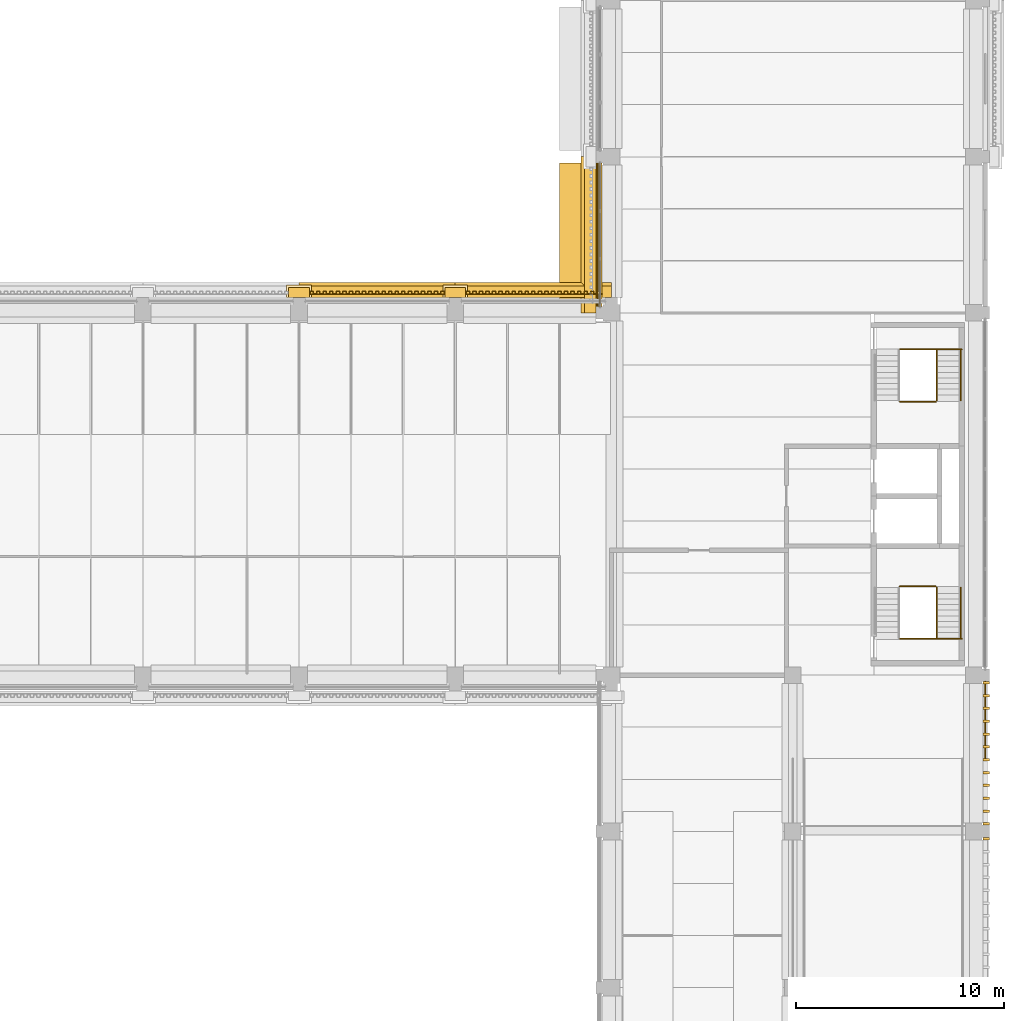
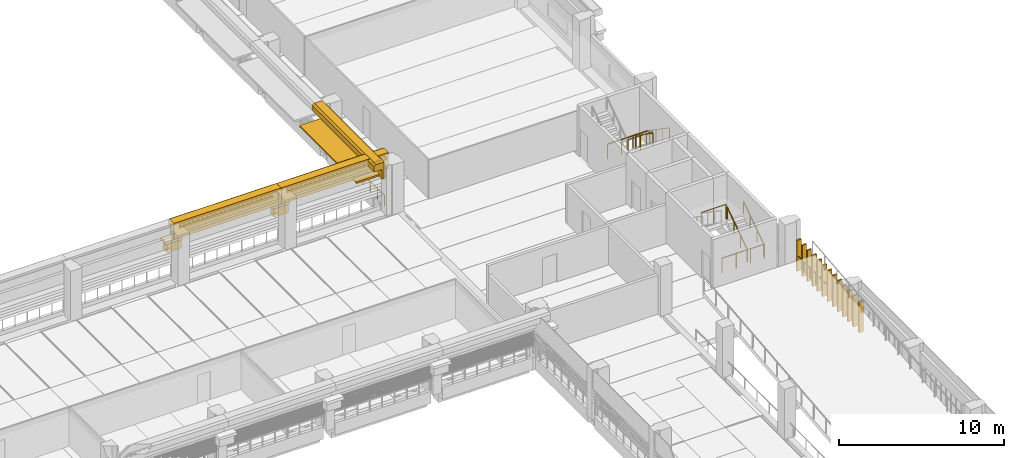
# One storey, part 62 of 71: 23 coverings, 10 railings, 1 shading device.
"""IFC4 building model written with IfcOpenShell, lengths in metres."""

from ifc_helpers import new_model, si_unit, direction, frame, origin, origin_2d, place, context, subcontext, project, spatial, polyline, circle, outline, extrude, material, layer, layer_set, type_object, element, save


model = new_model("IFC4")

# Units and contexts
model_context = context("Model", 3, precision=1e-05, world=origin(), true_north=direction((0.0, 1.0)))
body_context = subcontext(model_context, "Body", "Model", "MODEL_VIEW")
ifc_project = project(units=[si_unit("LENGTHUNIT", "METRE"), si_unit("AREAUNIT", "SQUARE_METRE"), si_unit("VOLUMEUNIT", "CUBIC_METRE"), si_unit("PLANEANGLEUNIT", "RADIAN"), si_unit("MASSUNIT", "GRAM", prefix="KILO")], contexts=[model_context])

# Site, building, storey
site_placement = place(None, origin())
site = spatial("IfcSite", under=ifc_project, at=site_placement, CompositionType="ELEMENT")
building_placement = place(site_placement, origin())
building = spatial("IfcBuilding", under=site, at=building_placement, Name="Cour d'Honneur Mobility Palace", CompositionType="ELEMENT")
storey_placement = place(building_placement, frame((0.0, 0.0, 15.60009765625)))
storey = spatial("IfcBuildingStorey", under=building, at=storey_placement, Name="L04", CompositionType="ELEMENT", Elevation=15.60009765625)

# Railings
ifc_material_1 = material(Name="Painted steel", Category="steel")
railing_type_1 = type_object("IfcRailingType", Name="Balustrade", PredefinedType="BALUSTRADE", material=ifc_material_1)
railing_1_placement = place(storey_placement, frame((162.85009765625, 41.0, 0.2998046875)))
element("IfcRailing", 1, at=railing_1_placement, inside=storey, type_object=railing_type_1, Name="Balustrade BAL-227", PredefinedType="BALUSTRADE", context=body_context, shape_type="SweptSolid", body=[
    extrude(circle(Radius=0.02392578125, at=origin_2d()), frame((0.0, 0.0, 0.77587890625), z_axis=(0.0, 1.0, 0.0), x_axis=(-1.0, 0.0, 0.0)), (0.0, 0.0, 1.0), 3.699951171875),
    extrude(circle(Radius=0.02099609375, at=origin_2d()), origin(), (0.0, 0.0, 1.0), 0.751953125),
    extrude(circle(Radius=0.02099609375, at=origin_2d()), frame((0.0, 0.739990234375, 0.0)), (0.0, 0.0, 1.0), 0.751953125),
    extrude(circle(Radius=0.02099609375, at=origin_2d()), frame((0.0, 1.47998046875, 0.0)), (0.0, 0.0, 1.0), 0.751953125),
    extrude(circle(Radius=0.02099609375, at=origin_2d()), frame((0.0, 2.219970703125, 0.0)), (0.0, 0.0, 1.0), 0.751953125),
    extrude(circle(Radius=0.02099609375, at=origin_2d()), frame((0.0, 2.9599609375, 0.0)), (0.0, 0.0, 1.0), 0.751953125),
    extrude(circle(Radius=0.02099609375, at=origin_2d()), frame((0.0, 3.699951171875, 0.0)), (0.0, 0.0, 1.0), 0.751953125),
])
railing_2_placement = place(storey_placement, frame((144.35009765625, 69.60009765625, 0.2998046875)))
element("IfcRailing", 2, at=railing_2_placement, inside=storey, type_object=railing_type_1, Name="Balustrade BAL-234", PredefinedType="BALUSTRADE", context=body_context, shape_type="SweptSolid", body=[
    extrude(circle(Radius=0.02392578125, at=origin_2d()), frame((0.0, 0.0, 0.77587890625), z_axis=(0.0, -1.0, 0.0), x_axis=(1.0, 0.0, 0.0)), (0.0, 0.0, 1.0), 6.900146484375),
    extrude(circle(Radius=0.02099609375, at=origin_2d()), origin(), (0.0, 0.0, 1.0), 0.751953125),
    extrude(circle(Radius=0.02099609375, at=origin_2d()), frame((0.0, -0.862548828125, 0.0)), (0.0, 0.0, 1.0), 0.751953125),
    extrude(circle(Radius=0.02099609375, at=origin_2d()), frame((0.0, -1.72509765625, 0.0)), (0.0, 0.0, 1.0), 0.751953125),
    extrude(circle(Radius=0.02099609375, at=origin_2d()), frame((0.0, -2.587646484375, 0.0)), (0.0, 0.0, 1.0), 0.751953125),
    extrude(circle(Radius=0.02099609375, at=origin_2d()), frame((0.0, -3.4501953125, 0.0)), (0.0, 0.0, 1.0), 0.751953125),
    extrude(circle(Radius=0.02099609375, at=origin_2d()), frame((0.0, -4.3125, 0.0)), (0.0, 0.0, 1.0), 0.751953125),
    extrude(circle(Radius=0.02099609375, at=origin_2d()), frame((0.0, -5.175048828125, 0.0)), (0.0, 0.0, 1.0), 0.751953125),
    extrude(circle(Radius=0.02099609375, at=origin_2d()), frame((0.0, -6.03759765625, 0.0)), (0.0, 0.0, 1.0), 0.751953125),
    extrude(circle(Radius=0.02099609375, at=origin_2d()), frame((0.0, -6.900146484375, 0.0)), (0.0, 0.0, 1.0), 0.751953125),
])

# Coverings
ifc_material_2 = material(Name="Cast limestone", Category="masonry")
ifc_layer_1 = layer(ifc_material_2, 0.14990234375)
ifc_layer_set_1 = layer_set([ifc_layer_1], Name="Cast limestone")
covering_type_1 = type_object("IfcCoveringType", Name="Dentil course", PredefinedType="CLADDING", material=ifc_layer_set_1)
covering_1_placement = place(storey_placement, frame((0.0, 0.0, 3.14990234375)))
element("IfcCovering", 3, at=covering_1_placement, inside=storey, type_object=covering_type_1, Name="Dentil course DC-95", PredefinedType="CLADDING", context=body_context, shape_type="SweptSolid", body=[
    extrude(outline(polyline([(144.449951171875, 63.300048828125), (137.85009765625, 63.300048828125), (137.85009765625, 63.330078125), (137.85009765625, 63.330078125), (137.928466796875, 63.330078125), (137.928466796875, 63.449951171875), (138.085693359375, 63.449951171875), (138.085693359375, 63.330078125), (138.164306640625, 63.330078125), (138.164306640625, 63.330078125), (138.242919921875, 63.330078125), (138.242919921875, 63.449951171875), (138.39990234375, 63.449951171875), (138.39990234375, 63.330078125), (138.478515625, 63.330078125), (138.478515625, 63.330078125), (138.55712890625, 63.330078125), (138.55712890625, 63.449951171875), (138.71435546875, 63.449951171875), (138.71435546875, 63.330078125), (138.79296875, 63.330078125), (138.79296875, 63.330078125), (138.871337890625, 63.330078125), (138.871337890625, 63.449951171875), (139.028564453125, 63.449951171875), (139.028564453125, 63.330078125), (139.107177734375, 63.330078125), (139.107177734375, 63.330078125), (139.185791015625, 63.330078125), (139.185791015625, 63.449951171875), (139.3427734375, 63.449951171875), (139.3427734375, 63.330078125), (139.42138671875, 63.330078125), (139.42138671875, 63.330078125), (139.5, 63.330078125), (139.5, 63.449951171875), (139.6572265625, 63.449951171875), (139.6572265625, 63.330078125), (139.735595703125, 63.330078125), (139.735595703125, 63.330078125), (139.814208984375, 63.330078125), (139.814208984375, 63.449951171875), (139.971435546875, 63.449951171875), (139.971435546875, 63.330078125), (140.050048828125, 63.330078125), (140.050048828125, 63.330078125), (140.128662109375, 63.330078125), (140.128662109375, 63.449951171875), (140.28564453125, 63.449951171875), (140.28564453125, 63.330078125), (140.3642578125, 63.330078125), (140.3642578125, 63.330078125), (140.44287109375, 63.330078125), (140.44287109375, 63.449951171875), (140.60009765625, 63.449951171875), (140.60009765625, 63.330078125), (140.678466796875, 63.330078125), (140.678466796875, 63.330078125), (140.757080078125, 63.330078125), (140.757080078125, 63.449951171875), (140.914306640625, 63.449951171875), (140.914306640625, 63.330078125), (140.992919921875, 63.330078125), (140.992919921875, 63.330078125), (141.071533203125, 63.330078125), (141.071533203125, 63.449951171875), (141.228515625, 63.449951171875), (141.228515625, 63.330078125), (141.30712890625, 63.330078125), (141.30712890625, 63.330078125), (141.3857421875, 63.330078125), (141.3857421875, 63.449951171875), (141.54296875, 63.449951171875), (141.54296875, 63.330078125), (141.621337890625, 63.330078125), (141.621337890625, 63.330078125), (141.699951171875, 63.330078125), (141.699951171875, 63.449951171875), (141.857177734375, 63.449951171875), (141.857177734375, 63.330078125), (141.935791015625, 63.330078125), (141.935791015625, 63.330078125), (142.014404296875, 63.330078125), (142.014404296875, 63.449951171875), (142.17138671875, 63.449951171875), (142.17138671875, 63.330078125), (142.25, 63.330078125), (142.25, 63.330078125), (142.32861328125, 63.330078125), (142.32861328125, 63.449951171875), (142.485595703125, 63.449951171875), (142.485595703125, 63.330078125), (142.564208984375, 63.330078125), (142.564208984375, 63.330078125), (142.642822265625, 63.330078125), (142.642822265625, 63.449951171875), (142.800048828125, 63.449951171875), (142.800048828125, 63.330078125), (142.878662109375, 63.330078125), (142.878662109375, 63.330078125), (142.95703125, 63.330078125), (142.95703125, 63.449951171875), (143.1142578125, 63.449951171875), (143.1142578125, 63.330078125), (143.19287109375, 63.330078125), (143.19287109375, 63.330078125), (143.271484375, 63.330078125), (143.271484375, 63.449951171875), (143.428466796875, 63.449951171875), (143.428466796875, 63.330078125), (143.507080078125, 63.330078125), (143.507080078125, 63.330078125), (143.585693359375, 63.330078125), (143.585693359375, 63.449951171875), (143.742919921875, 63.449951171875), (143.742919921875, 63.330078125), (143.821533203125, 63.330078125), (143.821533203125, 63.330078125), (143.89990234375, 63.330078125), (143.89990234375, 63.449951171875), (144.05712890625, 63.449951171875), (144.05712890625, 63.330078125), (144.1357421875, 63.330078125), (144.1357421875, 63.330078125), (144.21435546875, 63.330078125), (144.21435546875, 63.449951171875), (144.371337890625, 63.449951171875), (144.371337890625, 63.330078125), (144.449951171875, 63.330078125), (144.449951171875, 63.300048828125)])), origin(), (0.0, 0.0, 1.0), 0.14990234375),
])
covering_2_placement = place(storey_placement, frame((0.0, 0.0, 3.14990234375)))
element("IfcCovering", 4, at=covering_2_placement, inside=storey, type_object=covering_type_1, Name="Dentil course DC-96", PredefinedType="CLADDING", context=body_context, shape_type="SweptSolid", body=[
    extrude(outline(polyline([(136.949951171875, 63.300048828125), (130.35009765625, 63.300048828125), (130.35009765625, 63.330078125), (130.35009765625, 63.330078125), (130.428466796875, 63.330078125), (130.428466796875, 63.449951171875), (130.585693359375, 63.449951171875), (130.585693359375, 63.330078125), (130.664306640625, 63.330078125), (130.664306640625, 63.330078125), (130.742919921875, 63.330078125), (130.742919921875, 63.449951171875), (130.89990234375, 63.449951171875), (130.89990234375, 63.330078125), (130.978515625, 63.330078125), (130.978515625, 63.330078125), (131.05712890625, 63.330078125), (131.05712890625, 63.449951171875), (131.21435546875, 63.449951171875), (131.21435546875, 63.330078125), (131.29296875, 63.330078125), (131.29296875, 63.330078125), (131.371337890625, 63.330078125), (131.371337890625, 63.449951171875), (131.528564453125, 63.449951171875), (131.528564453125, 63.330078125), (131.607177734375, 63.330078125), (131.607177734375, 63.330078125), (131.685791015625, 63.330078125), (131.685791015625, 63.449951171875), (131.8427734375, 63.449951171875), (131.8427734375, 63.330078125), (131.92138671875, 63.330078125), (131.92138671875, 63.330078125), (132.0, 63.330078125), (132.0, 63.449951171875), (132.1572265625, 63.449951171875), (132.1572265625, 63.330078125), (132.235595703125, 63.330078125), (132.235595703125, 63.330078125), (132.314208984375, 63.330078125), (132.314208984375, 63.449951171875), (132.471435546875, 63.449951171875), (132.471435546875, 63.330078125), (132.550048828125, 63.330078125), (132.550048828125, 63.330078125), (132.628662109375, 63.330078125), (132.628662109375, 63.449951171875), (132.78564453125, 63.449951171875), (132.78564453125, 63.330078125), (132.8642578125, 63.330078125), (132.8642578125, 63.330078125), (132.94287109375, 63.330078125), (132.94287109375, 63.449951171875), (133.10009765625, 63.449951171875), (133.10009765625, 63.330078125), (133.178466796875, 63.330078125), (133.178466796875, 63.330078125), (133.257080078125, 63.330078125), (133.257080078125, 63.449951171875), (133.414306640625, 63.449951171875), (133.414306640625, 63.330078125), (133.492919921875, 63.330078125), (133.492919921875, 63.330078125), (133.571533203125, 63.330078125), (133.571533203125, 63.449951171875), (133.728515625, 63.449951171875), (133.728515625, 63.330078125), (133.80712890625, 63.330078125), (133.80712890625, 63.330078125), (133.8857421875, 63.330078125), (133.8857421875, 63.449951171875), (134.04296875, 63.449951171875), (134.04296875, 63.330078125), (134.121337890625, 63.330078125), (134.121337890625, 63.330078125), (134.199951171875, 63.330078125), (134.199951171875, 63.449951171875), (134.357177734375, 63.449951171875), (134.357177734375, 63.330078125), (134.435791015625, 63.330078125), (134.435791015625, 63.330078125), (134.514404296875, 63.330078125), (134.514404296875, 63.449951171875), (134.67138671875, 63.449951171875), (134.67138671875, 63.330078125), (134.75, 63.330078125), (134.75, 63.330078125), (134.82861328125, 63.330078125), (134.82861328125, 63.449951171875), (134.985595703125, 63.449951171875), (134.985595703125, 63.330078125), (135.064208984375, 63.330078125), (135.064208984375, 63.330078125), (135.142822265625, 63.330078125), (135.142822265625, 63.449951171875), (135.300048828125, 63.449951171875), (135.300048828125, 63.330078125), (135.378662109375, 63.330078125), (135.378662109375, 63.330078125), (135.45703125, 63.330078125), (135.45703125, 63.449951171875), (135.6142578125, 63.449951171875), (135.6142578125, 63.330078125), (135.69287109375, 63.330078125), (135.69287109375, 63.330078125), (135.771484375, 63.330078125), (135.771484375, 63.449951171875), (135.928466796875, 63.449951171875), (135.928466796875, 63.330078125), (136.007080078125, 63.330078125), (136.007080078125, 63.330078125), (136.085693359375, 63.330078125), (136.085693359375, 63.449951171875), (136.242919921875, 63.449951171875), (136.242919921875, 63.330078125), (136.321533203125, 63.330078125), (136.321533203125, 63.330078125), (136.39990234375, 63.330078125), (136.39990234375, 63.449951171875), (136.55712890625, 63.449951171875), (136.55712890625, 63.330078125), (136.6357421875, 63.330078125), (136.6357421875, 63.330078125), (136.71435546875, 63.330078125), (136.71435546875, 63.449951171875), (136.871337890625, 63.449951171875), (136.871337890625, 63.330078125), (136.949951171875, 63.330078125), (136.949951171875, 63.300048828125)])), origin(), (0.0, 0.0, 1.0), 0.14990234375),
])

# Shading device
ifc_material_3 = material(Name="Anodised aluminium", Category="aluminium")
ifc_layer_2 = layer(ifc_material_3, 0.1201171875)
ifc_layer_set_2 = layer_set([ifc_layer_2], Name="Anodised aluminium")
shading_device_type = type_object("IfcShadingDeviceType", Name="Eave sunshade 1800", PredefinedType="AWNING", material=ifc_layer_set_2)
shading_device_placement = place(storey_placement, frame((0.0, 0.0, 2.6298828125)))
element("IfcShadingDevice", 5, at=shading_device_placement, inside=storey, type_object=shading_device_type, Name="Sunshade W7.6 L04", PredefinedType="AWNING", context=body_context, shape_type="SweptSolid", body=[
    extrude(outline(polyline([(144.199951171875, 69.60009765625), (144.199951171875, 62.699951171875), (142.39990234375, 62.699951171875), (142.39990234375, 69.60009765625), (144.199951171875, 69.60009765625)])), origin(), (0.0, 0.0, 1.0), 0.1201171875),
])

# Coverings
ifc_material_4 = material(Name="Cast limestone", Category="masonry")
ifc_layer_3 = layer(ifc_material_4, 0.699951171875)
ifc_layer_set_3 = layer_set([ifc_layer_3], Name="Cast limestone")
covering_type_2 = type_object("IfcCoveringType", Name="Entablature", PredefinedType="CLADDING", material=ifc_layer_set_3)
covering_3_placement = place(storey_placement, frame((144.14990234375, 69.89990234375, 2.599853515625), z_axis=(0.0, 1.0, 0.0), x_axis=(-1.0, 0.0, 0.0)))
element("IfcCovering", 6, at=covering_3_placement, inside=storey, type_object=covering_type_2, Name="Entablature EN-94", PredefinedType="CLADDING", context=body_context, shape_type="SweptSolid", body=[
    extrude(outline(polyline([(0.0, 0.0), (0.14990234375, 0.0), (0.14990234375, 0.699951171875), (0.699951171875, 0.699951171875), (0.699951171875, 1.10009765625), (0.5498046875, 1.199951171875), (0.0, 1.199951171875), (0.0, 0.0)])), origin(), (0.0, 0.0, -1.0), 7.5),
])
for number, where, z_axis, x_axis, name in (
    (7, (144.89990234375, 63.14990234375, 2.599853515625), (1.0, 0.0, 0.0), (0.0, 1.0, 0.0), "Entablature EN-95"),
    (8, (137.39990234375, 63.14990234375, 2.599853515625), (1.0, 0.0, 0.0), (0.0, 1.0, 0.0), "Entablature EN-96"),
):
    element("IfcCovering", number, at=place(storey_placement, frame(where, z_axis=z_axis, x_axis=x_axis)), inside=storey, type_object=covering_type_2, Name=name, PredefinedType="CLADDING", context=body_context, shape_type="SweptSolid", body=[
        extrude(outline(polyline([(0.0, 0.0), (0.150146484375, 0.0), (0.150146484375, 0.699951171875), (0.7001953125, 0.699951171875), (0.7001953125, 1.10009765625), (0.550048828125, 1.199951171875), (0.0, 1.199951171875), (0.0, 0.0)])), origin(), (0.0, 0.0, -1.0), 7.5),
    ])

# Railings
ifc_material_5 = material(Name="Painted steel", Category="steel")
railing_type_2 = type_object("IfcRailingType", Name="Guardrail 1100", PredefinedType="GUARDRAIL", material=ifc_material_5)
railing_3_placement = place(storey_placement, frame((158.75, 46.7548828125, 0.0)))
element("IfcRailing", 9, at=railing_3_placement, inside=storey, type_object=railing_type_2, Name="Guard ST-CE1", PredefinedType="GUARDRAIL", context=body_context, shape_type="SweptSolid", body=[
    extrude(circle(Radius=0.02490234375, at=origin_2d()), frame((0.0, 0.0, 1.0751953125), z_axis=(1.0, 0.0, 0.0), x_axis=(0.0, 1.0, 0.0)), (0.0, 0.0, 1.0), 2.97509765625),
    extrude(circle(Radius=0.02099609375, at=origin_2d()), origin(), (0.0, 0.0, 1.0), 1.050048828125),
    extrude(circle(Radius=0.02099609375, at=origin_2d()), frame((0.99169921875, 0.0, 0.0)), (0.0, 0.0, 1.0), 1.050048828125),
    extrude(circle(Radius=0.02099609375, at=origin_2d()), frame((1.9833984375, 0.0, 0.0)), (0.0, 0.0, 1.0), 1.050048828125),
    extrude(circle(Radius=0.02099609375, at=origin_2d()), frame((2.97509765625, 0.0, 0.0)), (0.0, 0.0, 1.0), 1.050048828125),
])
railing_4_placement = place(storey_placement, frame((158.75, 49.264892578125, 1.849853515625)))
element("IfcRailing", 10, at=railing_4_placement, inside=storey, type_object=railing_type_2, Name="Landing guard ST-CE1", PredefinedType="GUARDRAIL", context=body_context, shape_type="SweptSolid", body=[
    extrude(circle(Radius=0.02490234375, at=origin_2d()), frame((0.0, 0.0, 1.0751953125), z_axis=(1.0, 0.0, 0.0), x_axis=(0.0, 1.0, 0.0)), (0.0, 0.0, 1.0), 1.72509765625),
    extrude(circle(Radius=0.02099609375, at=origin_2d()), origin(), (0.0, 0.0, 1.0), 1.050048828125),
    extrude(circle(Radius=0.02099609375, at=origin_2d()), frame((0.862548828125, 0.0, 0.0)), (0.0, 0.0, 1.0), 1.050048828125),
    extrude(circle(Radius=0.02099609375, at=origin_2d()), frame((1.72509765625, 0.0, 0.0)), (0.0, 0.0, 1.0), 1.050048828125),
])
railing_5_placement = place(storey_placement, frame((158.75, 60.64501953125, 0.0)))
element("IfcRailing", 11, at=railing_5_placement, inside=storey, type_object=railing_type_2, Name="Guard ST-CE2", PredefinedType="GUARDRAIL", context=body_context, shape_type="SweptSolid", body=[
    extrude(circle(Radius=0.02490234375, at=origin_2d()), frame((0.0, 0.0, 1.0751953125), z_axis=(1.0, 0.0, 0.0), x_axis=(0.0, 1.0, 0.0)), (0.0, 0.0, 1.0), 2.97509765625),
    extrude(circle(Radius=0.02099609375, at=origin_2d()), origin(), (0.0, 0.0, 1.0), 1.050048828125),
    extrude(circle(Radius=0.02099609375, at=origin_2d()), frame((0.99169921875, 0.0, 0.0)), (0.0, 0.0, 1.0), 1.050048828125),
    extrude(circle(Radius=0.02099609375, at=origin_2d()), frame((1.9833984375, 0.0, 0.0)), (0.0, 0.0, 1.0), 1.050048828125),
    extrude(circle(Radius=0.02099609375, at=origin_2d()), frame((2.97509765625, 0.0, 0.0)), (0.0, 0.0, 1.0), 1.050048828125),
])
railing_6_placement = place(storey_placement, frame((158.75, 58.135009765625, 1.849853515625)))
element("IfcRailing", 12, at=railing_6_placement, inside=storey, type_object=railing_type_2, Name="Landing guard ST-CE2", PredefinedType="GUARDRAIL", context=body_context, shape_type="SweptSolid", body=[
    extrude(circle(Radius=0.02490234375, at=origin_2d()), frame((0.0, 0.0, 1.0751953125), z_axis=(1.0, 0.0, 0.0), x_axis=(0.0, 1.0, 0.0)), (0.0, 0.0, 1.0), 1.72509765625),
    extrude(circle(Radius=0.02099609375, at=origin_2d()), origin(), (0.0, 0.0, 1.0), 1.050048828125),
    extrude(circle(Radius=0.02099609375, at=origin_2d()), frame((0.862548828125, 0.0, 0.0)), (0.0, 0.0, 1.0), 1.050048828125),
    extrude(circle(Radius=0.02099609375, at=origin_2d()), frame((1.72509765625, 0.0, 0.0)), (0.0, 0.0, 1.0), 1.050048828125),
])
ifc_material_6 = material(Name="Stainless steel", Category="steel")
railing_type_3 = type_object("IfcRailingType", Name="Handrail round 50", PredefinedType="HANDRAIL", material=ifc_material_6)
for number, where, name in (
    (13, (161.675048828125, 46.77490234375, 0.184814453125), "Handrail ST-CE1"),
    (14, (160.52490234375, 46.77490234375, 0.184814453125), "Handrail ST-CE1"),
):
    element("IfcRailing", number, at=place(storey_placement, frame(where)), inside=storey, type_object=railing_type_3, Name=name, PredefinedType="HANDRAIL", context=body_context, shape_type="SweptSolid", body=[
        extrude(circle(Radius=0.02490234375, at=origin_2d()), frame((0.0, 0.0, 0.89501953125), z_axis=(0.0, 0.824945253146, 0.565212640793), x_axis=(-1.0, 0.0, 0.0)), (0.0, 0.0, 1.0), 2.94580078125),
        extrude(circle(Radius=0.02099609375, at=origin_2d()), origin(), (0.0, 0.0, 1.0), 0.869873046875),
        extrude(circle(Radius=0.02099609375, at=origin_2d()), frame((0.0, 0.81005859375, 0.554931640625)), (0.0, 0.0, 1.0), 0.869873046875),
        extrude(circle(Radius=0.02099609375, at=origin_2d()), frame((0.0, 1.6201171875, 1.110107421875)), (0.0, 0.0, 1.0), 0.869873046875),
        extrude(circle(Radius=0.02099609375, at=origin_2d()), frame((0.0, 2.43017578125, 1.6650390625)), (0.0, 0.0, 1.0), 0.869873046875),
    ])
for number, where, name in (
    (15, (161.675048828125, 60.625, 0.184814453125), "Handrail ST-CE2"),
    (16, (160.52490234375, 60.625, 0.184814453125), "Handrail ST-CE2"),
):
    element("IfcRailing", number, at=place(storey_placement, frame(where)), inside=storey, type_object=railing_type_3, Name=name, PredefinedType="HANDRAIL", context=body_context, shape_type="SweptSolid", body=[
        extrude(circle(Radius=0.02490234375, at=origin_2d()), frame((0.0, 0.0, 0.89501953125), z_axis=(0.0, -0.8249187745, 0.56525128525), x_axis=(1.0, 0.0, 0.0)), (0.0, 0.0, 1.0), 2.945556640625),
        extrude(circle(Radius=0.02099609375, at=origin_2d()), origin(), (0.0, 0.0, 1.0), 0.869873046875),
        extrude(circle(Radius=0.02099609375, at=origin_2d()), frame((0.0, -0.81005859375, 0.554931640625)), (0.0, 0.0, 1.0), 0.869873046875),
        extrude(circle(Radius=0.02099609375, at=origin_2d()), frame((0.0, -1.619873046875, 1.110107421875)), (0.0, 0.0, 1.0), 0.869873046875),
        extrude(circle(Radius=0.02099609375, at=origin_2d()), frame((0.0, -2.429931640625, 1.6650390625)), (0.0, 0.0, 1.0), 0.869873046875),
    ])

# Coverings
ifc_material_7 = material(Name="Cast limestone", Category="masonry")
ifc_layer_4 = layer(ifc_material_7, 0.1201171875)
ifc_layer_set_4 = layer_set([ifc_layer_4], Name="Cast limestone")
covering_type_3 = type_object("IfcCoveringType", Name="Pilaster capital", PredefinedType="CLADDING", material=ifc_layer_set_4)
covering_4_placement = place(storey_placement, frame((0.0, 0.0, 1.7998046875)))
element("IfcCovering", 17, at=covering_4_placement, inside=storey, type_object=covering_type_3, Name="Pilaster capital PK-125", PredefinedType="CLADDING", context=body_context, shape_type="SweptSolid", body=[
    extrude(outline(polyline([(137.89990234375, 63.14990234375), (136.89990234375, 63.14990234375), (136.89990234375, 63.6201171875), (137.89990234375, 63.6201171875), (137.89990234375, 63.14990234375)])), origin(), (0.0, 0.0, 1.0), 0.6201171875),
])
covering_5_placement = place(storey_placement, frame((0.0, 0.0, 2.419921875)))
element("IfcCovering", 18, at=covering_5_placement, inside=storey, type_object=covering_type_3, Name="Pilaster capital PK-126", PredefinedType="CLADDING", context=body_context, shape_type="SweptSolid", body=[
    extrude(outline(polyline([(138.0, 63.14990234375), (136.800048828125, 63.14990234375), (136.800048828125, 63.75), (138.0, 63.75), (138.0, 63.14990234375)])), origin(), (0.0, 0.0, 1.0), 0.179931640625),
])
covering_6_placement = place(storey_placement, frame((0.0, 0.0, 1.7998046875)))
element("IfcCovering", 19, at=covering_6_placement, inside=storey, type_object=covering_type_3, Name="Pilaster capital PK-127", PredefinedType="CLADDING", context=body_context, shape_type="SweptSolid", body=[
    extrude(outline(polyline([(130.39990234375, 63.14990234375), (129.39990234375, 63.14990234375), (129.39990234375, 63.6201171875), (130.39990234375, 63.6201171875), (130.39990234375, 63.14990234375)])), origin(), (0.0, 0.0, 1.0), 0.6201171875),
])
covering_7_placement = place(storey_placement, frame((0.0, 0.0, 2.419921875)))
element("IfcCovering", 20, at=covering_7_placement, inside=storey, type_object=covering_type_3, Name="Pilaster capital PK-128", PredefinedType="CLADDING", context=body_context, shape_type="SweptSolid", body=[
    extrude(outline(polyline([(130.5, 63.14990234375), (129.300048828125, 63.14990234375), (129.300048828125, 63.75), (130.5, 63.75), (130.5, 63.14990234375)])), origin(), (0.0, 0.0, 1.0), 0.179931640625),
])
ifc_material_8 = material(Name="Cast limestone", Category="masonry")
ifc_layer_5 = layer(ifc_material_8, 0.1201171875)
ifc_layer_set_5 = layer_set([ifc_layer_5], Name="Cast limestone")
covering_type_4 = type_object("IfcCoveringType", Name="Ramp screen fin", PredefinedType="CLADDING", material=ifc_layer_set_5)
covering_8_placement = place(storey_placement, origin())
element("IfcCovering", 21, at=covering_8_placement, inside=storey, type_object=covering_type_4, Name="Ramp screen fin E5.4 L04 12", PredefinedType="CLADDING", context=body_context, shape_type="SweptSolid", body=[
    extrude(outline(polyline([(162.75, 37.080078125), (162.75, 37.199951171875), (163.050048828125, 37.199951171875), (163.050048828125, 37.080078125), (162.75, 37.080078125)])), origin(), (0.0, 0.0, 1.0), 2.2998046875),
])
covering_9_placement = place(storey_placement, origin())
element("IfcCovering", 22, at=covering_9_placement, inside=storey, type_object=covering_type_4, Name="Ramp screen fin E5.5 L04 1", PredefinedType="CLADDING", context=body_context, shape_type="SweptSolid", body=[
    extrude(outline(polyline([(162.75, 37.800048828125), (162.75, 37.919921875), (163.050048828125, 37.919921875), (163.050048828125, 37.800048828125), (162.75, 37.800048828125)])), origin(), (0.0, 0.0, 1.0), 2.2998046875),
])
covering_10_placement = place(storey_placement, origin())
element("IfcCovering", 23, at=covering_10_placement, inside=storey, type_object=covering_type_4, Name="Ramp screen fin E5.5 L04 2", PredefinedType="CLADDING", context=body_context, shape_type="SweptSolid", body=[
    extrude(outline(polyline([(162.75, 38.416259765625), (162.75, 38.536376953125), (163.050048828125, 38.536376953125), (163.050048828125, 38.416259765625), (162.75, 38.416259765625)])), origin(), (0.0, 0.0, 1.0), 2.2998046875),
])
covering_11_placement = place(storey_placement, origin())
element("IfcCovering", 24, at=covering_11_placement, inside=storey, type_object=covering_type_4, Name="Ramp screen fin E5.5 L04 3", PredefinedType="CLADDING", context=body_context, shape_type="SweptSolid", body=[
    extrude(outline(polyline([(162.75, 39.03271484375), (162.75, 39.15283203125), (163.050048828125, 39.15283203125), (163.050048828125, 39.03271484375), (162.75, 39.03271484375)])), origin(), (0.0, 0.0, 1.0), 2.2998046875),
])
covering_12_placement = place(storey_placement, origin())
element("IfcCovering", 25, at=covering_12_placement, inside=storey, type_object=covering_type_4, Name="Ramp screen fin E5.5 L04 4", PredefinedType="CLADDING", context=body_context, shape_type="SweptSolid", body=[
    extrude(outline(polyline([(162.75, 39.649169921875), (162.75, 39.76904296875), (163.050048828125, 39.76904296875), (163.050048828125, 39.649169921875), (162.75, 39.649169921875)])), origin(), (0.0, 0.0, 1.0), 2.2998046875),
])
covering_13_placement = place(storey_placement, origin())
element("IfcCovering", 26, at=covering_13_placement, inside=storey, type_object=covering_type_4, Name="Ramp screen fin E5.5 L04 5", PredefinedType="CLADDING", context=body_context, shape_type="SweptSolid", body=[
    extrude(outline(polyline([(162.75, 40.265380859375), (162.75, 40.385498046875), (163.050048828125, 40.385498046875), (163.050048828125, 40.265380859375), (162.75, 40.265380859375)])), origin(), (0.0, 0.0, 1.0), 2.2998046875),
])
covering_14_placement = place(storey_placement, origin())
element("IfcCovering", 27, at=covering_14_placement, inside=storey, type_object=covering_type_4, Name="Ramp screen fin E5.5 L04 6", PredefinedType="CLADDING", context=body_context, shape_type="SweptSolid", body=[
    extrude(outline(polyline([(162.75, 40.8818359375), (162.75, 41.001708984375), (163.050048828125, 41.001708984375), (163.050048828125, 40.8818359375), (162.75, 40.8818359375)])), origin(), (0.0, 0.0, 1.0), 2.2998046875),
])
covering_15_placement = place(storey_placement, origin())
element("IfcCovering", 28, at=covering_15_placement, inside=storey, type_object=covering_type_4, Name="Ramp screen fin E5.5 L04 7", PredefinedType="CLADDING", context=body_context, shape_type="SweptSolid", body=[
    extrude(outline(polyline([(162.75, 41.498291015625), (162.75, 41.6181640625), (163.050048828125, 41.6181640625), (163.050048828125, 41.498291015625), (162.75, 41.498291015625)])), origin(), (0.0, 0.0, 1.0), 2.2998046875),
])
covering_16_placement = place(storey_placement, origin())
element("IfcCovering", 29, at=covering_16_placement, inside=storey, type_object=covering_type_4, Name="Ramp screen fin E5.5 L04 8", PredefinedType="CLADDING", context=body_context, shape_type="SweptSolid", body=[
    extrude(outline(polyline([(162.75, 42.114501953125), (162.75, 42.234619140625), (163.050048828125, 42.234619140625), (163.050048828125, 42.114501953125), (162.75, 42.114501953125)])), origin(), (0.0, 0.0, 1.0), 2.2998046875),
])
covering_17_placement = place(storey_placement, origin())
element("IfcCovering", 30, at=covering_17_placement, inside=storey, type_object=covering_type_4, Name="Ramp screen fin E5.5 L04 9", PredefinedType="CLADDING", context=body_context, shape_type="SweptSolid", body=[
    extrude(outline(polyline([(162.75, 42.73095703125), (162.75, 42.850830078125), (163.050048828125, 42.850830078125), (163.050048828125, 42.73095703125), (162.75, 42.73095703125)])), origin(), (0.0, 0.0, 1.0), 2.2998046875),
])
covering_18_placement = place(storey_placement, origin())
element("IfcCovering", 31, at=covering_18_placement, inside=storey, type_object=covering_type_4, Name="Ramp screen fin E5.5 L04 10", PredefinedType="CLADDING", context=body_context, shape_type="SweptSolid", body=[
    extrude(outline(polyline([(162.75, 43.34716796875), (162.75, 43.46728515625), (163.050048828125, 43.46728515625), (163.050048828125, 43.34716796875), (162.75, 43.34716796875)])), origin(), (0.0, 0.0, 1.0), 2.2998046875),
])
covering_19_placement = place(storey_placement, origin())
element("IfcCovering", 32, at=covering_19_placement, inside=storey, type_object=covering_type_4, Name="Ramp screen fin E5.5 L04 11", PredefinedType="CLADDING", context=body_context, shape_type="SweptSolid", body=[
    extrude(outline(polyline([(162.75, 43.963623046875), (162.75, 44.083740234375), (163.050048828125, 44.083740234375), (163.050048828125, 43.963623046875), (162.75, 43.963623046875)])), origin(), (0.0, 0.0, 1.0), 2.2998046875),
])
covering_20_placement = place(storey_placement, origin())
element("IfcCovering", 33, at=covering_20_placement, inside=storey, type_object=covering_type_4, Name="Ramp screen fin E5.5 L04 12", PredefinedType="CLADDING", context=body_context, shape_type="SweptSolid", body=[
    extrude(outline(polyline([(162.75, 44.580078125), (162.75, 44.699951171875), (163.050048828125, 44.699951171875), (163.050048828125, 44.580078125), (162.75, 44.580078125)])), origin(), (0.0, 0.0, 1.0), 2.2998046875),
])
ifc_material_9 = material(Name="Cast limestone", Category="masonry")
ifc_layer_6 = layer(ifc_material_9, 0.25)
ifc_layer_set_6 = layer_set([ifc_layer_6], Name="Cast limestone")
covering_type_5 = type_object("IfcCoveringType", Name="Spandrel cladding", PredefinedType="CLADDING", material=ifc_layer_set_6)
covering_21_placement = place(storey_placement, frame((144.449951171875, 69.60009765625, 2.2998046875), z_axis=(0.0, 1.0, 0.0), x_axis=(-1.0, 0.0, 0.0)))
element("IfcCovering", 34, at=covering_21_placement, inside=storey, type_object=covering_type_5, Name="Spandrel cladding SK-313", PredefinedType="CLADDING", context=body_context, shape_type="SweptSolid", body=[
    extrude(outline(polyline([(0.0, 0.0), (0.25, 0.0), (0.25, 1.400146484375), (0.199951171875, 1.400146484375), (0.199951171875, 0.800048828125), (0.0, 0.800048828125), (0.0, 0.0)])), origin(), (0.0, 0.0, -1.0), 6.89990234375),
])

save(model, "model.ifc")
